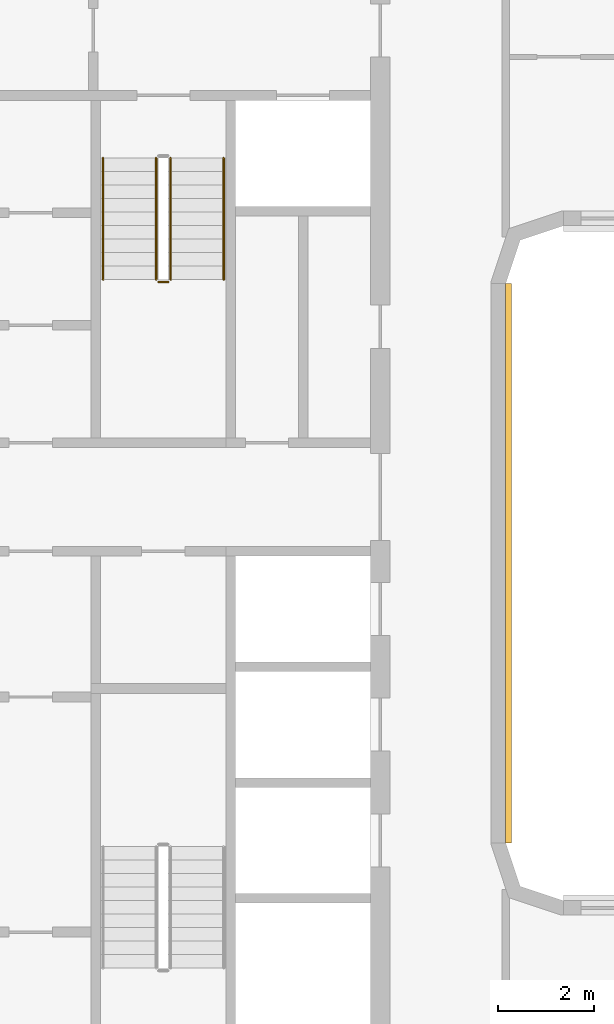
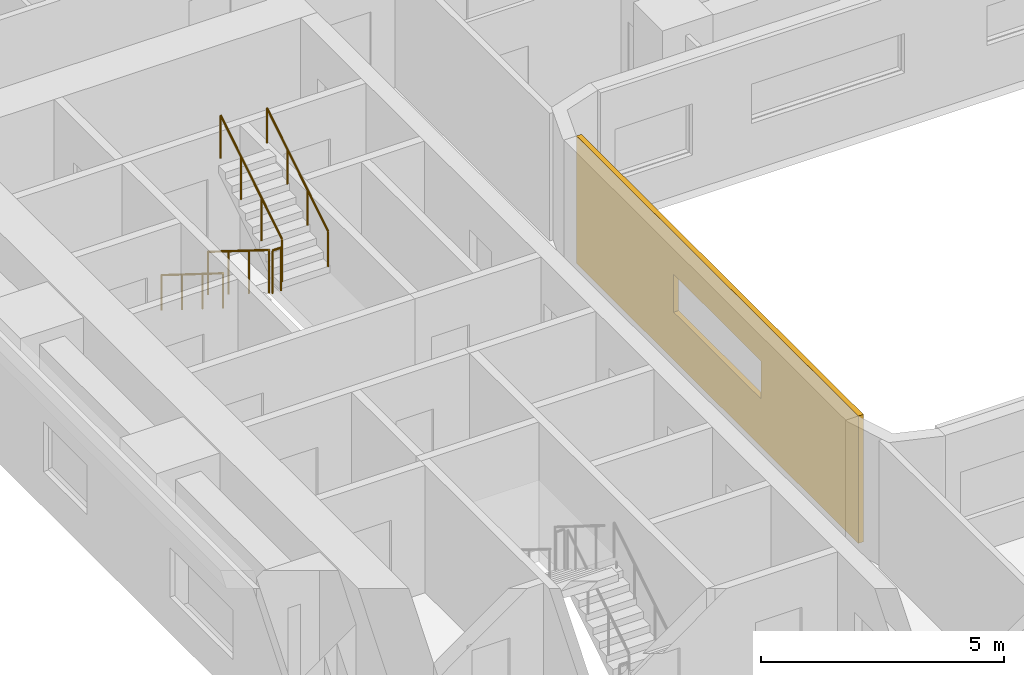
# One storey, part 15 of 21: 5 railings, 1 covering.
"""IFC4 building model written with IfcOpenShell, lengths in metres."""

from ifc_helpers import new_model, si_unit, direction, frame, origin, origin_2d, place, context, subcontext, project, spatial, polyline, circle, outline, extrude, material, layer, layer_set, type_object, element, save


model = new_model("IFC4")

# Units and contexts
model_context = context("Model", 3, precision=1e-05, world=origin(), true_north=direction((0.0, 1.0)))
body_context = subcontext(model_context, "Body", "Model", "MODEL_VIEW")
ifc_project = project(units=[si_unit("LENGTHUNIT", "METRE"), si_unit("AREAUNIT", "SQUARE_METRE"), si_unit("VOLUMEUNIT", "CUBIC_METRE"), si_unit("PLANEANGLEUNIT", "RADIAN"), si_unit("MASSUNIT", "GRAM", prefix="KILO")], contexts=[model_context])

# Site, building, storey
site_placement = place(None, origin())
site = spatial("IfcSite", under=ifc_project, at=site_placement, CompositionType="ELEMENT")
building_placement = place(site_placement, origin())
building = spatial("IfcBuilding", under=site, at=building_placement, Name="Kiln Ring Residences", CompositionType="ELEMENT")
storey_placement = place(building_placement, frame((0.0, 0.0, 48.0)))
storey = spatial("IfcBuildingStorey", under=building, at=storey_placement, Name="L11", CompositionType="ELEMENT", Elevation=48.0)

# Railings
ifc_material_1 = material(Name="Stainless steel", Category="steel")
railing_type_1 = type_object("IfcRailingType", Name="CORE-STAIR-GUARD", PredefinedType="GUARDRAIL", material=ifc_material_1)
railing_1_placement = place(storey_placement, frame((-22.25, 8.39990234375, 0.175048828125)))
element("IfcRailing", 1, at=railing_1_placement, inside=storey, type_object=railing_type_1, Name="L11 W-STN stair guard 1", PredefinedType="GUARDRAIL", context=body_context, shape_type="SweptSolid", body=[
    extrude(circle(Radius=0.02392578125, at=origin_2d()), frame((0.0, 0.0, 1.076171875), z_axis=(0.0, -0.848007534815, 0.529984170421), x_axis=(1.0, 0.0, 0.0)), (0.0, 0.0, 1.0), 2.9716796875),
    extrude(circle(Radius=0.02099609375, at=origin_2d()), origin(), (0.0, 0.0, 1.0), 1.052001953125),
    extrude(circle(Radius=0.02099609375, at=origin_2d()), frame((0.0, -0.840087890625, 0.52490234375)), (0.0, 0.0, 1.0), 1.052001953125),
    extrude(circle(Radius=0.02099609375, at=origin_2d()), frame((0.0, -1.679931640625, 1.050048828125)), (0.0, 0.0, 1.0), 1.052001953125),
    extrude(circle(Radius=0.02099609375, at=origin_2d()), frame((0.0, -2.52001953125, 1.574951171875)), (0.0, 0.0, 1.0), 1.052001953125),
])
railing_2_placement = place(storey_placement, frame((-22.199951171875, 5.830078125, 1.75)))
element("IfcRailing", 2, at=railing_2_placement, inside=storey, type_object=railing_type_1, Name="L11 W-STN stair guard 2", PredefinedType="GUARDRAIL", context=body_context, shape_type="SweptSolid", body=[
    extrude(circle(Radius=0.02392578125, at=origin_2d()), frame((0.0, 0.0, 1.076171875), z_axis=(1.0, 0.0, 0.0), x_axis=(0.0, 1.0, 0.0)), (0.0, 0.0, 1.0), 0.199951171875),
    extrude(circle(Radius=0.02099609375, at=origin_2d()), origin(), (0.0, 0.0, 1.0), 1.052001953125),
    extrude(circle(Radius=0.02099609375, at=origin_2d()), frame((0.199951171875, 0.0, 0.0)), (0.0, 0.0, 1.0), 1.052001953125),
])
railing_3_placement = place(storey_placement, frame((-21.949951171875, 5.8798828125, 1.925048828125)))
element("IfcRailing", 3, at=railing_3_placement, inside=storey, type_object=railing_type_1, Name="L11 W-STN stair guard 3", PredefinedType="GUARDRAIL", context=body_context, shape_type="SweptSolid", body=[
    extrude(circle(Radius=0.02392578125, at=origin_2d()), frame((0.0, 0.0, 1.076171875), z_axis=(0.0, 0.848007534815, 0.529984170421), x_axis=(-1.0, 0.0, 0.0)), (0.0, 0.0, 1.0), 2.9716796875),
    extrude(circle(Radius=0.02099609375, at=origin_2d()), origin(), (0.0, 0.0, 1.0), 1.052001953125),
    extrude(circle(Radius=0.02099609375, at=origin_2d()), frame((0.0, 0.840087890625, 0.52490234375)), (0.0, 0.0, 1.0), 1.052001953125),
    extrude(circle(Radius=0.02099609375, at=origin_2d()), frame((0.0, 1.679931640625, 1.050048828125)), (0.0, 0.0, 1.0), 1.052001953125),
    extrude(circle(Radius=0.02099609375, at=origin_2d()), frame((0.0, 2.52001953125, 1.574951171875)), (0.0, 0.0, 1.0), 1.052001953125),
])
ifc_material_2 = material(Name="Stainless steel", Category="steel")
railing_type_2 = type_object("IfcRailingType", Name="CORE-STAIR-HANDRAIL", PredefinedType="HANDRAIL", material=ifc_material_2)
railing_4_placement = place(storey_placement, frame((-23.35009765625, 8.39990234375, 0.175048828125)))
element("IfcRailing", 4, at=railing_4_placement, inside=storey, type_object=railing_type_2, Name="L11 W-STN stair handrail 1", PredefinedType="HANDRAIL", context=body_context, shape_type="SweptSolid", body=[
    extrude(circle(Radius=0.02392578125, at=origin_2d()), frame((0.0, 0.0, 0.8759765625), z_axis=(0.0, -0.848007534815, 0.529984170421), x_axis=(1.0, 0.0, 0.0)), (0.0, 0.0, 1.0), 2.9716796875),
    extrude(circle(Radius=0.02099609375, at=origin_2d()), origin(), (0.0, 0.0, 1.0), 0.851806640625),
    extrude(circle(Radius=0.02099609375, at=origin_2d()), frame((0.0, -0.840087890625, 0.52490234375)), (0.0, 0.0, 1.0), 0.851806640625),
    extrude(circle(Radius=0.02099609375, at=origin_2d()), frame((0.0, -1.679931640625, 1.050048828125)), (0.0, 0.0, 1.0), 0.851806640625),
    extrude(circle(Radius=0.02099609375, at=origin_2d()), frame((0.0, -2.52001953125, 1.574951171875)), (0.0, 0.0, 1.0), 0.851806640625),
])
railing_5_placement = place(storey_placement, frame((-20.85009765625, 5.8798828125, 1.925048828125)))
element("IfcRailing", 5, at=railing_5_placement, inside=storey, type_object=railing_type_2, Name="L11 W-STN stair handrail 2", PredefinedType="HANDRAIL", context=body_context, shape_type="SweptSolid", body=[
    extrude(circle(Radius=0.02392578125, at=origin_2d()), frame((0.0, 0.0, 0.8759765625), z_axis=(0.0, 0.848007534815, 0.529984170421), x_axis=(-1.0, 0.0, 0.0)), (0.0, 0.0, 1.0), 2.9716796875),
    extrude(circle(Radius=0.02099609375, at=origin_2d()), origin(), (0.0, 0.0, 1.0), 0.851806640625),
    extrude(circle(Radius=0.02099609375, at=origin_2d()), frame((0.0, 0.840087890625, 0.52490234375)), (0.0, 0.0, 1.0), 0.851806640625),
    extrude(circle(Radius=0.02099609375, at=origin_2d()), frame((0.0, 1.679931640625, 1.050048828125)), (0.0, 0.0, 1.0), 0.851806640625),
    extrude(circle(Radius=0.02099609375, at=origin_2d()), frame((0.0, 2.52001953125, 1.574951171875)), (0.0, 0.0, 1.0), 0.851806640625),
])

# Covering
ifc_material_3 = material(Name="Brick masonry, dark clay brick", Category="masonry")
ifc_layer = layer(ifc_material_3, 0.1201171875)
ifc_layer_set = layer_set([ifc_layer], Name="RAINSCREEN PANEL 120")
covering_type = type_object("IfcCoveringType", Name="RAINSCREEN PANEL 120", PredefinedType="CLADDING", material=ifc_layer_set)
covering_placement = place(storey_placement, frame((-14.93994140625, -5.800048828125, 0.0), z_axis=(0.0, 0.0, 1.0), x_axis=(0.0, 1.0, 0.0)))
element("IfcCovering", 6, at=covering_placement, inside=storey, type_object=covering_type, Name="RAINSCREEN L11", PredefinedType="CLADDING", context=body_context, shape_type="SweptSolid", body=[
    extrude(outline(polyline([(0.0, 0.0), (11.60009765625, 0.0), (11.60009765625, 3.199951171875), (0.0, 3.199951171875), (0.0, 0.0)]), holes=[polyline([(4.0, 2.14990234375), (4.0, 1.199951171875), (7.60009765625, 1.199951171875), (7.60009765625, 2.14990234375), (4.0, 2.14990234375)])]), frame((0.0, 0.06005859375, 0.0), z_axis=(0.0, -1.0, 0.0), x_axis=(1.0, 0.0, 0.0)), (0.0, 0.0, 1.0), 0.1201171875),
])

save(model, "model.ifc")
